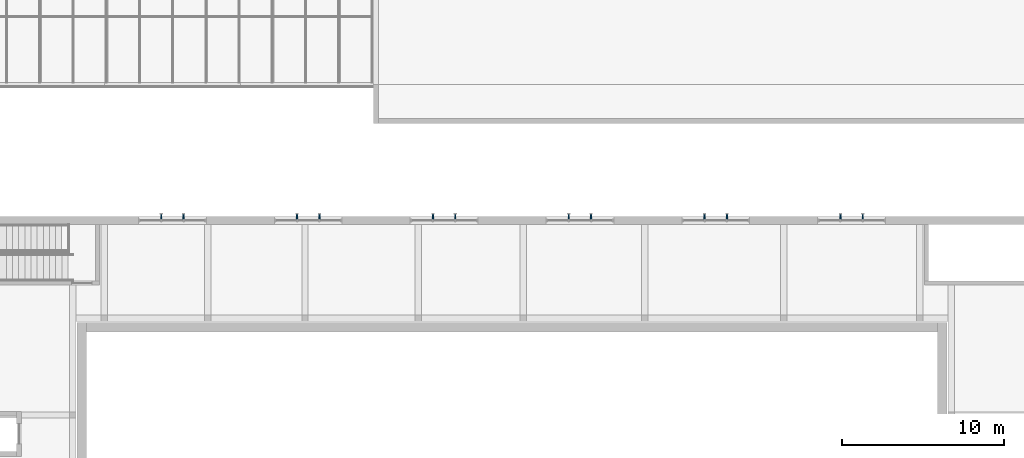
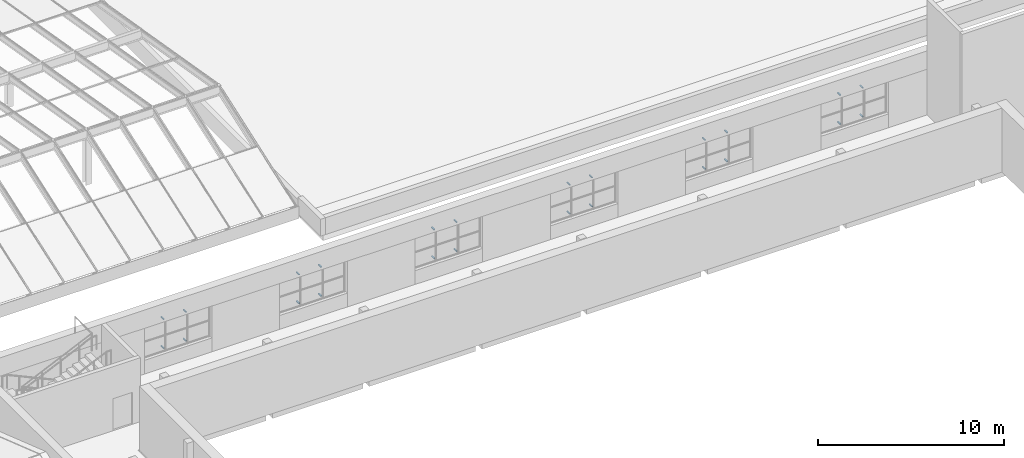
# One storey, part 53 of 60: 24 discrete accessories.
"""IFC4 building model written with IfcOpenShell, lengths in metres."""

import ifcopenshell
import ifcopenshell.guid

model = None  # the IFC model being written
_history = None  # IfcOwnerHistory: only IFC2X3 demands one
_inside = {}  # id of a spatial element -> (the spatial element, [elements in it])
_under = {}  # id of a project, library or spatial element -> (it, [spatial elements below it])
_declared = {}  # id of a project -> (the project, [libraries it declares])
_typed = {}  # id of a type object -> (the type object, [elements of that type])
_made_of = {}  # id of a material, layer set ... -> (it, [elements and type objects made of it])


def new_model(schema):
    """Start an empty IFC model of exactly this schema.

    Asked for "IFC4X3", IfcOpenShell would pick the latest addendum, in which some entities
    have other attributes; the version numbers below select the first issue.
    IFC2X3 requires an IfcOwnerHistory on every rooted entity: one is made here for all.
    """
    global model, _history
    if schema == "IFC4X3":
        model = ifcopenshell.file(schema_version=(4, 3, 0, 0))
    else:
        model = ifcopenshell.file(schema=schema)
    _inside.clear()
    _under.clear()
    _declared.clear()
    _typed.clear()
    _made_of.clear()
    _history = None
    if model.schema == "IFC2X3":
        org = make("IfcOrganization", Name="unknown")
        user = make(
            "IfcPersonAndOrganization",
            ThePerson=make("IfcPerson", FamilyName="unknown"),
            TheOrganization=org,
        )
        app = make(
            "IfcApplication",
            ApplicationDeveloper=org,
            Version="unknown",
            ApplicationFullName="unknown",
            ApplicationIdentifier="unknown",
        )
        _history = make(
            "IfcOwnerHistory",
            OwningUser=user,
            OwningApplication=app,
            ChangeAction="ADDED",
            CreationDate=0,
        )
    return model


def make(cls, **values):
    """One entity of the class cls with the attributes given. An attribute that is None is left unset."""
    return model.create_entity(
        cls, **{name: value for name, value in values.items() if value is not None}
    )


def rooted(cls, **values):
    """An entity with a GlobalId (a new one), such as an element, a storey or a relation."""
    return make(cls, GlobalId=ifcopenshell.guid.new(), OwnerHistory=_history, **values)


def si_unit(unit_type, name, prefix=None):
    """IfcSIUnit, for example si_unit("LENGTHUNIT", "METRE", prefix="MILLI")."""
    return make("IfcSIUnit", UnitType=unit_type, Prefix=prefix, Name=name)


def assignment(units):
    """IfcUnitAssignment: the units of a project."""
    return None if units is None else make("IfcUnitAssignment", Units=units)


def point(xyz):
    """IfcCartesianPoint."""
    return None if xyz is None else make("IfcCartesianPoint", Coordinates=xyz)


def direction(xyz):
    """IfcDirection."""
    return None if xyz is None else make("IfcDirection", DirectionRatios=xyz)


def frame(location, z_axis=None, x_axis=None):
    """IfcAxis2Placement3D, a coordinate frame: its origin and axes. An axis left out is left unset."""
    return make(
        "IfcAxis2Placement3D",
        Location=point(location),
        Axis=direction(z_axis),
        RefDirection=direction(x_axis),
    )


def frame_2d(location, x_axis=None):
    """IfcAxis2Placement2D, a coordinate frame in the plane: its origin and x axis."""
    return make(
        "IfcAxis2Placement2D", Location=point(location), RefDirection=direction(x_axis)
    )


def origin():
    """The frame at (0, 0, 0) with its axes left unset."""
    return frame((0.0, 0.0, 0.0))


def origin_2d():
    """The frame at (0, 0) in the plane with its x axis left unset."""
    return frame_2d((0.0, 0.0))


def place(relative_to, where):
    """IfcLocalPlacement: puts the frame where relative to a parent placement (None: the world)."""
    return make(
        "IfcLocalPlacement", PlacementRelTo=relative_to, RelativePlacement=where
    )


def context(
    kind, dimensions, precision=None, world=None, true_north=None, identifier=None
):
    """IfcGeometricRepresentationContext, for example the 3D "Model" context."""
    return make(
        "IfcGeometricRepresentationContext",
        ContextIdentifier=identifier,
        ContextType=kind,
        CoordinateSpaceDimension=dimensions,
        Precision=precision,
        WorldCoordinateSystem=world,
        TrueNorth=true_north,
    )


def subcontext(parent, identifier, kind, view, scale=None):
    """IfcGeometricRepresentationSubContext, for example "Body" below "Model"."""
    return make(
        "IfcGeometricRepresentationSubContext",
        ContextIdentifier=identifier,
        ContextType=kind,
        ParentContext=parent,
        TargetScale=scale,
        TargetView=view,
    )


def project(units=None, contexts=None):
    """IfcProject with its units and contexts."""
    return rooted(
        "IfcProject",
        Name="project",
        RepresentationContexts=contexts,
        UnitsInContext=assignment(units),
    )


def spatial(cls, under=None, at=None, **own):
    """A site, building, storey or space (cls), placed at a placement, below another one or the project."""
    s = rooted(cls, ObjectPlacement=at, **own)
    if under is not None:
        _under.setdefault(under.id(), (under, []))[1].append(s)
    return s


def profile(cls, at=None, kind="AREA", **sizes):
    """A parametric profile (cls). Its sizes go by their IFC names, for example OverallWidth=200.0."""
    return make(cls, ProfileType=kind, Position=at, **sizes)


def rectangle(**sizes):
    """IfcRectangleProfileDef."""
    return profile("IfcRectangleProfileDef", **sizes)


def extrude(swept, where, along, depth):
    """IfcExtrudedAreaSolid: the profile swept, set in the frame where, extruded along a direction by depth."""
    return make(
        "IfcExtrudedAreaSolid",
        SweptArea=swept,
        Position=where,
        ExtrudedDirection=direction(along),
        Depth=depth,
    )


def shape(context_of_items, identifier, shape_type, items):
    """IfcShapeRepresentation: the items that make up one representation, for example the "Body"."""
    return make(
        "IfcShapeRepresentation",
        ContextOfItems=context_of_items,
        RepresentationIdentifier=identifier,
        RepresentationType=shape_type,
        Items=items,
    )


def material(Name=None, Category=None):
    """IfcMaterial."""
    return make("IfcMaterial", Name=Name, Category=Category)


def made_of(thing, what):
    """Note that an element or type object is made of a material, layer set ...; save() writes the relation."""
    if what is not None:
        _made_of.setdefault(what.id(), (what, []))[1].append(thing)
    return thing


def type_object(cls, material=None, **own):
    """A type object (cls), such as IfcWallType, which elements share."""
    return made_of(rooted(cls, **own), material)


def element(
    cls,
    number,
    at=None,
    inside=None,
    cuts=None,
    type_object=None,
    material=None,
    context=None,
    identifier="Body",
    shape_type=None,
    held_by="IfcProductDefinitionShape",
    body=None,
    shapes=None,
    **own,
):
    """One element of the class cls, such as IfcWall. Its Tag is "e" and its number.

    at: its placement. inside: the storey or other place that contains it. cuts: it is an
    opening in that element (IfcRelVoidsElement). A single representation is given by context,
    identifier, shape_type and body (its items); several are given by shapes. held_by: the class
    of the entity that holds the representations. save() writes the other relations.
    """
    e = rooted(cls, Tag="e%d" % number, ObjectPlacement=at, **own)
    if body is not None:
        shapes = [shape(context, identifier, shape_type, body)]
    if shapes is not None:
        e.Representation = make(held_by, Representations=shapes)
    if inside is not None:
        _inside.setdefault(inside.id(), (inside, []))[1].append(e)
    if cuts is not None:
        rooted(
            "IfcRelVoidsElement", RelatingBuildingElement=cuts, RelatedOpeningElement=e
        )
    if type_object is not None:
        _typed.setdefault(type_object.id(), (type_object, []))[1].append(e)
    return made_of(e, material)


def aggregate(whole, parts):
    """IfcRelAggregates: a whole, such as a stair, and the parts it consists of."""
    return rooted("IfcRelAggregates", RelatingObject=whole, RelatedObjects=parts)


def save(model, path):
    """Write the relations noted so far, then the file.

    IfcRelAggregates (storeys below a building ...), IfcRelContainedInSpatialStructure (elements
    in a storey), IfcRelDefinesByType, IfcRelAssociatesMaterial and IfcRelDeclares: one each for
    every whole, place, type object, material and project.
    """
    for whole, parts in _under.values():
        aggregate(whole, parts)
    for where, things in _inside.values():
        rooted(
            "IfcRelContainedInSpatialStructure",
            RelatedElements=things,
            RelatingStructure=where,
        )
    for kind, things in _typed.values():
        rooted("IfcRelDefinesByType", RelatedObjects=things, RelatingType=kind)
    for what, things in _made_of.values():
        rooted("IfcRelAssociatesMaterial", RelatedObjects=things, RelatingMaterial=what)
    for by, libraries in _declared.values():
        rooted("IfcRelDeclares", RelatingContext=by, RelatedDefinitions=libraries)
    model.write(path)


model = new_model("IFC4")

# Units and contexts
model_context = context("Model", 3, precision=1e-05, world=origin(), true_north=direction((0.0, 1.0)))
body_context = subcontext(model_context, "Body", "Model", "MODEL_VIEW")
ifc_project = project(units=[si_unit("LENGTHUNIT", "METRE"), si_unit("AREAUNIT", "SQUARE_METRE"), si_unit("VOLUMEUNIT", "CUBIC_METRE"), si_unit("PLANEANGLEUNIT", "RADIAN"), si_unit("MASSUNIT", "GRAM", prefix="KILO")], contexts=[model_context])

# Site, building, storey
site_placement = place(None, origin())
site = spatial("IfcSite", under=ifc_project, at=site_placement, CompositionType="ELEMENT")
building_placement = place(site_placement, origin())
building = spatial("IfcBuilding", under=site, at=building_placement, Name="Ljudholm Concert House", CompositionType="ELEMENT")
storey_placement = place(building_placement, frame((0.0, 0.0, 15.0)))
storey = spatial("IfcBuildingStorey", under=building, at=storey_placement, Name="L03", CompositionType="ELEMENT", Elevation=15.0)

# Discrete accessories
ifc_material = material(Name="Stainless steel bracket", Category="steel")
discrete_accessory_type = type_object("IfcDiscreteAccessoryType", Name="BRACKET 290", PredefinedType="BRACKET", material=ifc_material)
for number, where, z_axis, x_axis, name in (
    (1, (41.110107421875, 96.625, 0.969970703125), (0.0, 0.0, 1.0), (0.0, 1.0, 0.0), "Fin bracket"),
    (2, (41.110107421875, 96.625, 2.869873046875), (0.0, 0.0, 1.0), (0.0, 1.0, 0.0), "Fin bracket"),
    (3, (42.489990234375, 96.625, 0.969970703125), (0.0, 0.0, 1.0), (0.0, 1.0, 0.0), "Fin bracket"),
    (4, (42.489990234375, 96.625, 2.869873046875), (0.0, 0.0, 1.0), (0.0, 1.0, 0.0), "Fin bracket"),
    (5, (49.510009765625, 96.625, 0.969970703125), (0.0, 0.0, 1.0), (0.0, 1.0, 0.0), "Fin bracket"),
    (6, (49.510009765625, 96.625, 2.869873046875), (0.0, 0.0, 1.0), (0.0, 1.0, 0.0), "Fin bracket"),
    (7, (50.889892578125, 96.625, 0.969970703125), (0.0, 0.0, 1.0), (0.0, 1.0, 0.0), "Fin bracket"),
    (8, (50.889892578125, 96.625, 2.869873046875), (0.0, 0.0, 1.0), (0.0, 1.0, 0.0), "Fin bracket"),
    (9, (57.909912109375, 96.625, 0.969970703125), (0.0, 0.0, 1.0), (0.0, 1.0, 0.0), "Fin bracket"),
    (10, (57.909912109375, 96.625, 2.869873046875), (0.0, 0.0, 1.0), (0.0, 1.0, 0.0), "Fin bracket"),
    (11, (59.2900390625, 96.625, 0.969970703125), (0.0, 0.0, 1.0), (0.0, 1.0, 0.0), "Fin bracket"),
    (12, (59.2900390625, 96.625, 2.869873046875), (0.0, 0.0, 1.0), (0.0, 1.0, 0.0), "Fin bracket"),
    (13, (66.31005859375, 96.625, 0.969970703125), (0.0, 0.0, 1.0), (0.0, 1.0, 0.0), "Fin bracket"),
    (14, (66.31005859375, 96.625, 2.869873046875), (0.0, 0.0, 1.0), (0.0, 1.0, 0.0), "Fin bracket"),
    (15, (67.68994140625, 96.625, 0.969970703125), (0.0, 0.0, 1.0), (0.0, 1.0, 0.0), "Fin bracket"),
    (16, (67.68994140625, 96.625, 2.869873046875), (0.0, 0.0, 1.0), (0.0, 1.0, 0.0), "Fin bracket"),
    (17, (74.7099609375, 96.625, 0.969970703125), (0.0, 0.0, 1.0), (0.0, 1.0, 0.0), "Fin bracket"),
    (18, (74.7099609375, 96.625, 2.869873046875), (0.0, 0.0, 1.0), (0.0, 1.0, 0.0), "Fin bracket"),
    (19, (76.090087890625, 96.625, 0.969970703125), (0.0, 0.0, 1.0), (0.0, 1.0, 0.0), "Fin bracket"),
    (20, (76.090087890625, 96.625, 2.869873046875), (0.0, 0.0, 1.0), (0.0, 1.0, 0.0), "Fin bracket"),
    (21, (83.110107421875, 96.625, 0.969970703125), (0.0, 0.0, 1.0), (0.0, 1.0, 0.0), "Fin bracket"),
    (22, (83.110107421875, 96.625, 2.869873046875), (0.0, 0.0, 1.0), (0.0, 1.0, 0.0), "Fin bracket"),
    (23, (84.489990234375, 96.625, 0.969970703125), (0.0, 0.0, 1.0), (0.0, 1.0, 0.0), "Fin bracket"),
    (24, (84.489990234375, 96.625, 2.869873046875), (0.0, 0.0, 1.0), (0.0, 1.0, 0.0), "Fin bracket"),
):
    element("IfcDiscreteAccessory", number, at=place(storey_placement, frame(where, z_axis=z_axis, x_axis=x_axis)), inside=storey, type_object=discrete_accessory_type, Name=name, PredefinedType="BRACKET", context=body_context, shape_type="SweptSolid", body=[
        extrude(rectangle(XDim=0.2900390625, YDim=0.080078125, at=origin_2d()), origin(), (0.0, 0.0, 1.0), 0.06005859375),
    ])

save(model, "model.ifc")
